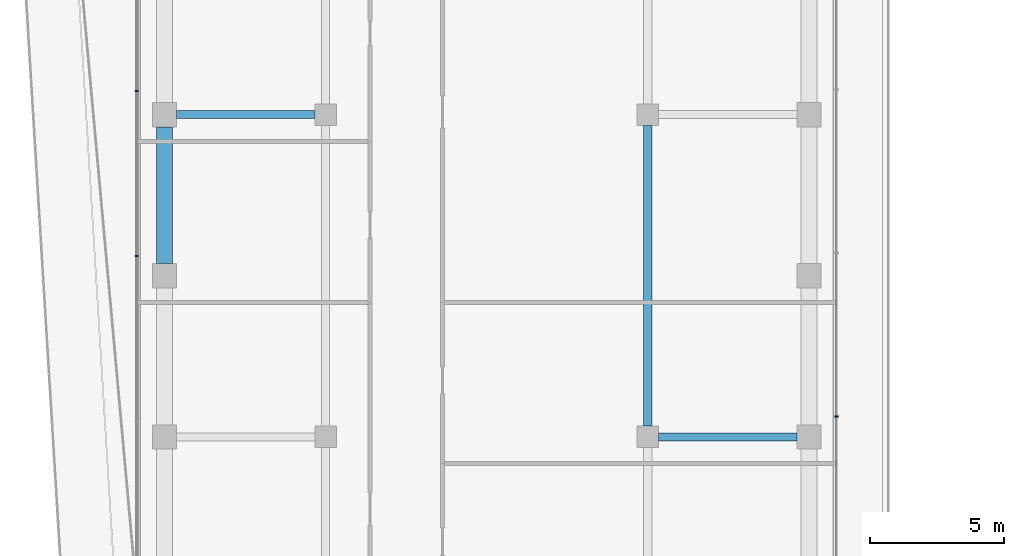
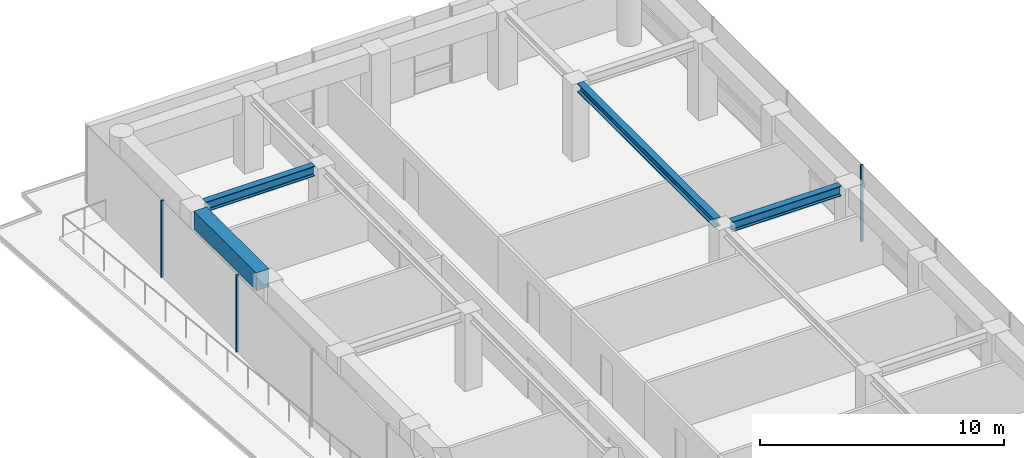
# One storey, part 14 of 23: 4 beams, 3 members, 2 elements without a shape of their own.
"""IFC4 building model written with IfcOpenShell, lengths in metres."""

import ifcopenshell
import ifcopenshell.guid

model = None  # the IFC model being written
_history = None  # IfcOwnerHistory: only IFC2X3 demands one
_inside = {}  # id of a spatial element -> (the spatial element, [elements in it])
_under = {}  # id of a project, library or spatial element -> (it, [spatial elements below it])
_declared = {}  # id of a project -> (the project, [libraries it declares])
_typed = {}  # id of a type object -> (the type object, [elements of that type])
_made_of = {}  # id of a material, layer set ... -> (it, [elements and type objects made of it])


def new_model(schema):
    """Start an empty IFC model of exactly this schema.

    Asked for "IFC4X3", IfcOpenShell would pick the latest addendum, in which some entities
    have other attributes; the version numbers below select the first issue.
    IFC2X3 requires an IfcOwnerHistory on every rooted entity: one is made here for all.
    """
    global model, _history
    if schema == "IFC4X3":
        model = ifcopenshell.file(schema_version=(4, 3, 0, 0))
    else:
        model = ifcopenshell.file(schema=schema)
    _inside.clear()
    _under.clear()
    _declared.clear()
    _typed.clear()
    _made_of.clear()
    _history = None
    if model.schema == "IFC2X3":
        org = make("IfcOrganization", Name="unknown")
        user = make(
            "IfcPersonAndOrganization",
            ThePerson=make("IfcPerson", FamilyName="unknown"),
            TheOrganization=org,
        )
        app = make(
            "IfcApplication",
            ApplicationDeveloper=org,
            Version="unknown",
            ApplicationFullName="unknown",
            ApplicationIdentifier="unknown",
        )
        _history = make(
            "IfcOwnerHistory",
            OwningUser=user,
            OwningApplication=app,
            ChangeAction="ADDED",
            CreationDate=0,
        )
    return model


def make(cls, **values):
    """One entity of the class cls with the attributes given. An attribute that is None is left unset."""
    return model.create_entity(
        cls, **{name: value for name, value in values.items() if value is not None}
    )


def rooted(cls, **values):
    """An entity with a GlobalId (a new one), such as an element, a storey or a relation."""
    return make(cls, GlobalId=ifcopenshell.guid.new(), OwnerHistory=_history, **values)


def si_unit(unit_type, name, prefix=None):
    """IfcSIUnit, for example si_unit("LENGTHUNIT", "METRE", prefix="MILLI")."""
    return make("IfcSIUnit", UnitType=unit_type, Prefix=prefix, Name=name)


def assignment(units):
    """IfcUnitAssignment: the units of a project."""
    return None if units is None else make("IfcUnitAssignment", Units=units)


def point(xyz):
    """IfcCartesianPoint."""
    return None if xyz is None else make("IfcCartesianPoint", Coordinates=xyz)


def direction(xyz):
    """IfcDirection."""
    return None if xyz is None else make("IfcDirection", DirectionRatios=xyz)


def frame(location, z_axis=None, x_axis=None):
    """IfcAxis2Placement3D, a coordinate frame: its origin and axes. An axis left out is left unset."""
    return make(
        "IfcAxis2Placement3D",
        Location=point(location),
        Axis=direction(z_axis),
        RefDirection=direction(x_axis),
    )


def frame_2d(location, x_axis=None):
    """IfcAxis2Placement2D, a coordinate frame in the plane: its origin and x axis."""
    return make(
        "IfcAxis2Placement2D", Location=point(location), RefDirection=direction(x_axis)
    )


def origin():
    """The frame at (0, 0, 0) with its axes left unset."""
    return frame((0.0, 0.0, 0.0))


def origin_2d():
    """The frame at (0, 0) in the plane with its x axis left unset."""
    return frame_2d((0.0, 0.0))


def place(relative_to, where):
    """IfcLocalPlacement: puts the frame where relative to a parent placement (None: the world)."""
    return make(
        "IfcLocalPlacement", PlacementRelTo=relative_to, RelativePlacement=where
    )


def context(
    kind, dimensions, precision=None, world=None, true_north=None, identifier=None
):
    """IfcGeometricRepresentationContext, for example the 3D "Model" context."""
    return make(
        "IfcGeometricRepresentationContext",
        ContextIdentifier=identifier,
        ContextType=kind,
        CoordinateSpaceDimension=dimensions,
        Precision=precision,
        WorldCoordinateSystem=world,
        TrueNorth=true_north,
    )


def subcontext(parent, identifier, kind, view, scale=None):
    """IfcGeometricRepresentationSubContext, for example "Body" below "Model"."""
    return make(
        "IfcGeometricRepresentationSubContext",
        ContextIdentifier=identifier,
        ContextType=kind,
        ParentContext=parent,
        TargetScale=scale,
        TargetView=view,
    )


def project(units=None, contexts=None):
    """IfcProject with its units and contexts."""
    return rooted(
        "IfcProject",
        Name="project",
        RepresentationContexts=contexts,
        UnitsInContext=assignment(units),
    )


def spatial(cls, under=None, at=None, **own):
    """A site, building, storey or space (cls), placed at a placement, below another one or the project."""
    s = rooted(cls, ObjectPlacement=at, **own)
    if under is not None:
        _under.setdefault(under.id(), (under, []))[1].append(s)
    return s


def profile(cls, at=None, kind="AREA", **sizes):
    """A parametric profile (cls). Its sizes go by their IFC names, for example OverallWidth=200.0."""
    return make(cls, ProfileType=kind, Position=at, **sizes)


def rectangle(**sizes):
    """IfcRectangleProfileDef."""
    return profile("IfcRectangleProfileDef", **sizes)


def i_section(**sizes):
    """IfcIShapeProfileDef."""
    return profile("IfcIShapeProfileDef", **sizes)


def extrude(swept, where, along, depth):
    """IfcExtrudedAreaSolid: the profile swept, set in the frame where, extruded along a direction by depth."""
    return make(
        "IfcExtrudedAreaSolid",
        SweptArea=swept,
        Position=where,
        ExtrudedDirection=direction(along),
        Depth=depth,
    )


def shape(context_of_items, identifier, shape_type, items):
    """IfcShapeRepresentation: the items that make up one representation, for example the "Body"."""
    return make(
        "IfcShapeRepresentation",
        ContextOfItems=context_of_items,
        RepresentationIdentifier=identifier,
        RepresentationType=shape_type,
        Items=items,
    )


def material(Name=None, Category=None):
    """IfcMaterial."""
    return make("IfcMaterial", Name=Name, Category=Category)


def layer(
    of_material, thickness, ventilated=None, Name=None, Category=None, Priority=None
):
    """IfcMaterialLayer: one layer of a wall or slab, of a material (None: an air gap)."""
    return make(
        "IfcMaterialLayer",
        Material=of_material,
        LayerThickness=thickness,
        IsVentilated=ventilated,
        Name=Name,
        Category=Category,
        Priority=Priority,
    )


def layer_set(layers, Name=None):
    """IfcMaterialLayerSet."""
    return make("IfcMaterialLayerSet", MaterialLayers=layers, LayerSetName=Name)


def material_profile(
    of_material, cross_section, Name=None, Category=None, Priority=None
):
    """IfcMaterialProfile: a cross section and its material."""
    return make(
        "IfcMaterialProfile",
        Name=Name,
        Material=of_material,
        Profile=cross_section,
        Priority=Priority,
        Category=Category,
    )


def profile_set(profiles, Name=None, composite=None):
    """IfcMaterialProfileSet."""
    return make(
        "IfcMaterialProfileSet",
        Name=Name,
        MaterialProfiles=profiles,
        CompositeProfile=composite,
    )


def made_of(thing, what):
    """Note that an element or type object is made of a material, layer set ...; save() writes the relation."""
    if what is not None:
        _made_of.setdefault(what.id(), (what, []))[1].append(thing)
    return thing


def type_object(cls, material=None, **own):
    """A type object (cls), such as IfcWallType, which elements share."""
    return made_of(rooted(cls, **own), material)


def element(
    cls,
    number,
    at=None,
    inside=None,
    cuts=None,
    type_object=None,
    material=None,
    context=None,
    identifier="Body",
    shape_type=None,
    held_by="IfcProductDefinitionShape",
    body=None,
    shapes=None,
    **own,
):
    """One element of the class cls, such as IfcWall. Its Tag is "e" and its number.

    at: its placement. inside: the storey or other place that contains it. cuts: it is an
    opening in that element (IfcRelVoidsElement). A single representation is given by context,
    identifier, shape_type and body (its items); several are given by shapes. held_by: the class
    of the entity that holds the representations. save() writes the other relations.
    """
    e = rooted(cls, Tag="e%d" % number, ObjectPlacement=at, **own)
    if body is not None:
        shapes = [shape(context, identifier, shape_type, body)]
    if shapes is not None:
        e.Representation = make(held_by, Representations=shapes)
    if inside is not None:
        _inside.setdefault(inside.id(), (inside, []))[1].append(e)
    if cuts is not None:
        rooted(
            "IfcRelVoidsElement", RelatingBuildingElement=cuts, RelatedOpeningElement=e
        )
    if type_object is not None:
        _typed.setdefault(type_object.id(), (type_object, []))[1].append(e)
    return made_of(e, material)


def aggregate(whole, parts):
    """IfcRelAggregates: a whole, such as a stair, and the parts it consists of."""
    return rooted("IfcRelAggregates", RelatingObject=whole, RelatedObjects=parts)


def save(model, path):
    """Write the relations noted so far, then the file.

    IfcRelAggregates (storeys below a building ...), IfcRelContainedInSpatialStructure (elements
    in a storey), IfcRelDefinesByType, IfcRelAssociatesMaterial and IfcRelDeclares: one each for
    every whole, place, type object, material and project.
    """
    for whole, parts in _under.values():
        aggregate(whole, parts)
    for where, things in _inside.values():
        rooted(
            "IfcRelContainedInSpatialStructure",
            RelatedElements=things,
            RelatingStructure=where,
        )
    for kind, things in _typed.values():
        rooted("IfcRelDefinesByType", RelatedObjects=things, RelatingType=kind)
    for what, things in _made_of.values():
        rooted("IfcRelAssociatesMaterial", RelatedObjects=things, RelatingMaterial=what)
    for by, libraries in _declared.values():
        rooted("IfcRelDeclares", RelatingContext=by, RelatedDefinitions=libraries)
    model.write(path)


model = new_model("IFC4")

# Units and contexts
model_context = context("Model", 3, precision=1e-05, world=origin(), true_north=direction((0.0, 1.0)))
body_context = subcontext(model_context, "Body", "Model", "MODEL_VIEW")
ifc_project = project(units=[si_unit("LENGTHUNIT", "METRE"), si_unit("AREAUNIT", "SQUARE_METRE"), si_unit("VOLUMEUNIT", "CUBIC_METRE"), si_unit("PLANEANGLEUNIT", "RADIAN"), si_unit("MASSUNIT", "GRAM", prefix="KILO")], contexts=[model_context])

# Site, building, storey
site_placement = place(None, origin())
site = spatial("IfcSite", under=ifc_project, at=site_placement, CompositionType="ELEMENT")
building_placement = place(site_placement, origin())
building = spatial("IfcBuilding", under=site, at=building_placement, Name="Welwitschia Terrace Campus", CompositionType="ELEMENT")
storey_placement = place(building_placement, frame((0.0, 0.0, 96.199951171875)))
storey = spatial("IfcBuildingStorey", under=building, at=storey_placement, Name="L21", CompositionType="ELEMENT", Elevation=96.199951171875)

# Beam
ifc_material_1 = material(Name="Steel S355", Category="steel")
ifc_material_profile_1 = material_profile(ifc_material_1, i_section(OverallWidth=0.306884765625, OverallDepth=0.431884765625, WebThickness=0.02099609375, FlangeThickness=0.0400390625, FilletRadius=0.027099609375, at=origin_2d()))
ifc_profile_set_1 = profile_set([ifc_material_profile_1], Name="Steel S355")
beam_type_1 = type_object("IfcBeamType", Name="Interior girder HE 400 M", PredefinedType="BEAM", material=ifc_profile_set_1)
beam_1_placement = place(storey_placement, frame((18.0, 52.400390625, 3.634033203125), z_axis=(0.0, 1.0, 0.0), x_axis=(-1.0, 0.0, 0.0)))
element("IfcBeam", 1, at=beam_1_placement, inside=storey, type_object=beam_type_1, Name="Girder GB3", PredefinedType="BEAM", context=body_context, shape_type="SweptSolid", body=[
    extrude(i_section(OverallWidth=0.306884765625, OverallDepth=0.431884765625, WebThickness=0.02099609375, FlangeThickness=0.0400390625, FilletRadius=0.027099609375, at=origin_2d()), origin(), (0.0, 0.0, 1.0), 11.19921875),
])

# Curtain wall, member
ifc_material_2 = material(Name="Bronze anodised aluminium", Category="aluminium")
ifc_layer = layer(ifc_material_2, 0.1201171875)
ifc_layer_set = layer_set([ifc_layer], Name="Bronze anodised aluminium")
curtain_wall_type = type_object("IfcCurtainWallType", Name="Curtain wall CW2 tower 6000", PredefinedType="NOTDEFINED", material=ifc_layer_set)
curtain_wall_1_placement = place(storey_placement, origin())
curtain_wall_1 = element("IfcCurtainWall", 2, at=curtain_wall_1_placement, inside=storey, type_object=curtain_wall_type, Name="CW L21.8.0", PredefinedType="NOTDEFINED")
ifc_material_3 = material(Name="Bronze anodised aluminium", Category="aluminium")
ifc_material_profile_2 = material_profile(ifc_material_3, rectangle(XDim=0.1201171875, YDim=0.06005859375, at=origin_2d()))
ifc_profile_set_2 = profile_set([ifc_material_profile_2], Name="Bronze anodised aluminium")
member_type = type_object("IfcMemberType", Name="Mullion 60x120", PredefinedType="MULLION", material=ifc_profile_set_2)
member_1_placement = place(storey_placement, frame((25.030029296875, 52.763427734375, 0.0), z_axis=(0.0, 0.0, 1.0), x_axis=(-1.0, 0.0, 0.0)))
member_1 = element("IfcMember", 3, at=member_1_placement, type_object=member_type, Name="Mullion L21.8.0.3", PredefinedType="MULLION", context=body_context, shape_type="SweptSolid", body=[
    extrude(rectangle(XDim=0.1201171875, YDim=0.06005859375, at=origin_2d()), origin(), (0.0, 0.0, 1.0), 3.85009765625),
])
aggregate(curtain_wall_1, [member_1])

# Curtain wall, members
curtain_wall_2_placement = place(storey_placement, origin())
curtain_wall_2 = element("IfcCurtainWall", 4, at=curtain_wall_2_placement, inside=storey, type_object=curtain_wall_type, Name="CW L21.10.0", PredefinedType="NOTDEFINED")
member_2_placement = place(storey_placement, frame((-1.030029296875, 64.88427734375, 0.0), z_axis=(0.0, 0.0, 1.0), x_axis=(1.0, 0.0, 0.0)))
member_2 = element("IfcMember", 5, at=member_2_placement, type_object=member_type, Name="Mullion L21.10.0.1", PredefinedType="MULLION", context=body_context, shape_type="SweptSolid", body=[
    extrude(rectangle(XDim=0.1201171875, YDim=0.06005859375, at=origin_2d()), origin(), (0.0, 0.0, 1.0), 3.85009765625),
])
member_3_placement = place(storey_placement, frame((-1.030029296875, 58.73876953125, 0.0), z_axis=(0.0, 0.0, 1.0), x_axis=(1.0, 0.0, 0.0)))
member_3 = element("IfcMember", 6, at=member_3_placement, type_object=member_type, Name="Mullion L21.10.0.2", PredefinedType="MULLION", context=body_context, shape_type="SweptSolid", body=[
    extrude(rectangle(XDim=0.1201171875, YDim=0.06005859375, at=origin_2d()), origin(), (0.0, 0.0, 1.0), 3.85009765625),
])
aggregate(curtain_wall_2, [member_2, member_3])

# Beams
ifc_material_4 = material(Name="Steel S355", Category="steel")
ifc_material_profile_3 = material_profile(ifc_material_4, i_section(OverallWidth=0.300048828125, OverallDepth=0.5, WebThickness=0.014404296875, FlangeThickness=0.028076171875, FilletRadius=0.027099609375, at=origin_2d()))
ifc_profile_set_3 = profile_set([ifc_material_profile_3], Name="Steel S355")
beam_type_2 = type_object("IfcBeamType", Name="Primary beam HE 500 B", PredefinedType="BEAM", material=ifc_profile_set_3)
for number, where, z_axis, x_axis, name in (
    (7, (23.549560546875, 52.0, 3.60009765625), (-1.0, 0.0, 0.0), (0.0, -1.0, 0.0), "Primary beam PB3"),
    (8, (0.450439453125, 64.0, 3.60009765625), (1.0, 0.0, 0.0), (0.0, 1.0, 0.0), "Primary beam PB3"),
):
    element("IfcBeam", number, at=place(storey_placement, frame(where, z_axis=z_axis, x_axis=x_axis)), inside=storey, type_object=beam_type_2, Name=name, PredefinedType="BEAM", context=body_context, shape_type="SweptSolid", body=[
        extrude(i_section(OverallWidth=0.300048828125, OverallDepth=0.5, WebThickness=0.014404296875, FlangeThickness=0.028076171875, FilletRadius=0.027099609375, at=origin_2d()), origin(), (0.0, 0.0, 1.0), 5.149169921875),
    ])
ifc_material_5 = material(Name="Concrete C60/75", Category="concrete")
ifc_material_profile_4 = material_profile(ifc_material_5, rectangle(XDim=0.60009765625, YDim=0.89990234375, at=origin_2d()))
ifc_profile_set_4 = profile_set([ifc_material_profile_4], Name="Concrete C60/75")
beam_type_3 = type_object("IfcBeamType", Name="Ring spandrel 600x900", PredefinedType="SPANDREL", material=ifc_profile_set_4)
beam_2_placement = place(storey_placement, frame((0.0, 63.549560546875, 3.400146484375), z_axis=(0.0, -1.0, 0.0), x_axis=(1.0, 0.0, 0.0)))
element("IfcBeam", 9, at=beam_2_placement, inside=storey, type_object=beam_type_3, Name="Spandrel SP2", PredefinedType="SPANDREL", context=body_context, shape_type="SweptSolid", body=[
    extrude(rectangle(XDim=0.60009765625, YDim=0.89990234375, at=origin_2d()), origin(), (0.0, 0.0, 1.0), 5.09912109375),
])

save(model, "model.ifc")
